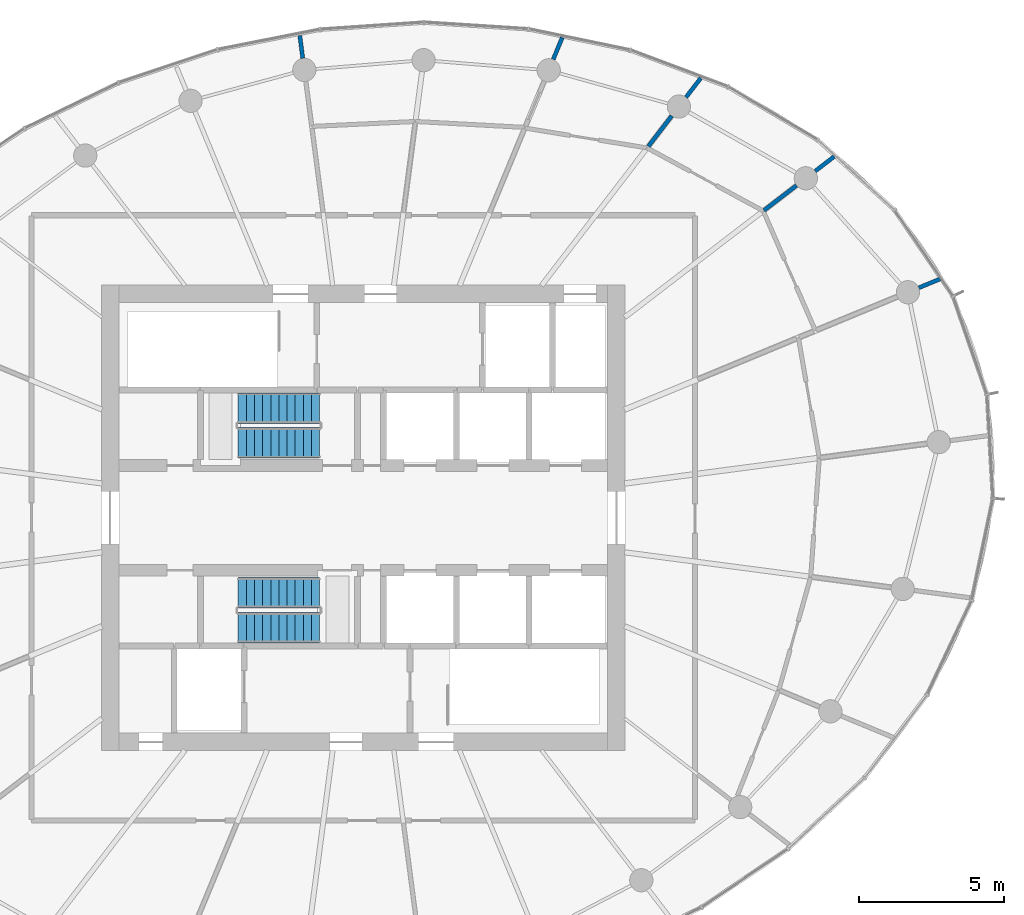
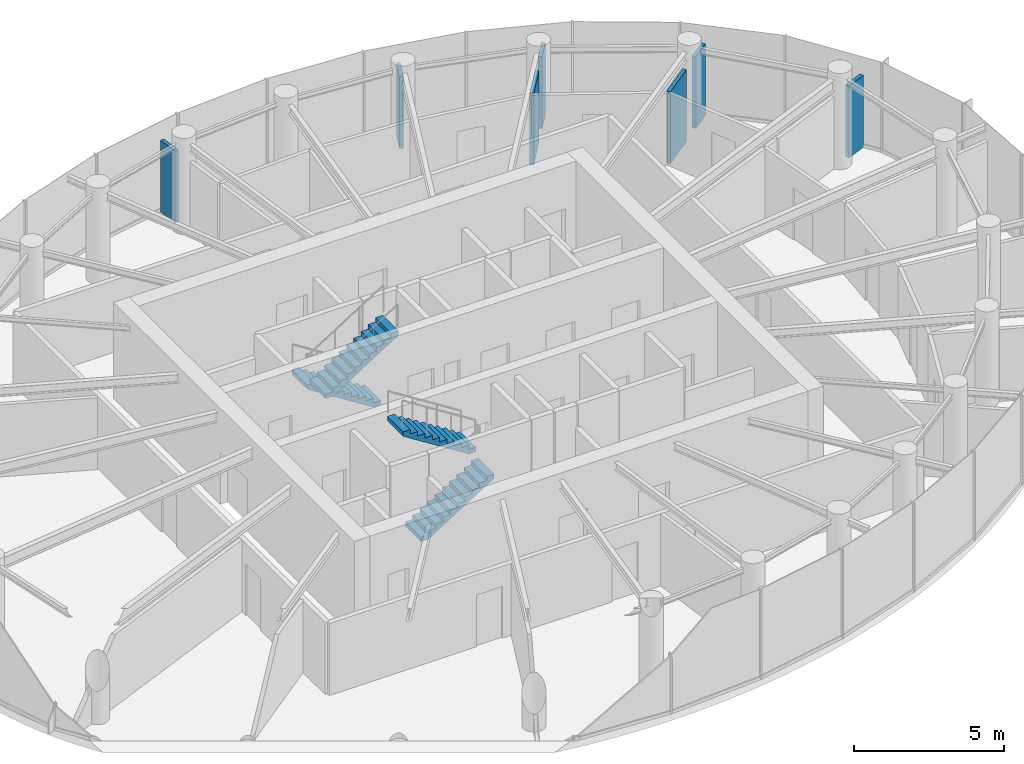
# One storey, part 11 of 13: 7 walls, 4 stair flights, 2 elements without a shape of their own.
"""IFC4 building model written with IfcOpenShell, lengths in metres."""

from ifc_helpers import new_model, si_unit, direction, frame, frame_2d, origin, place, context, subcontext, project, spatial, line, indexed_curve, rectangle, outline, extrude, material, layer, layer_set, type_object, element, aggregate, save


model = new_model("IFC4")

# Units and contexts
model_context = context("Model", 3, precision=1e-05, world=origin(), true_north=direction((0.0, 1.0)))
body_context = subcontext(model_context, "Body", "Model", "MODEL_VIEW")
ifc_project = project(units=[si_unit("LENGTHUNIT", "METRE"), si_unit("AREAUNIT", "SQUARE_METRE"), si_unit("VOLUMEUNIT", "CUBIC_METRE"), si_unit("PLANEANGLEUNIT", "RADIAN"), si_unit("MASSUNIT", "GRAM", prefix="KILO")], contexts=[model_context])

# Site, building, storey
site_placement = place(None, origin())
site = spatial("IfcSite", under=ifc_project, at=site_placement, CompositionType="ELEMENT")
building_placement = place(site_placement, origin())
building = spatial("IfcBuilding", under=site, at=building_placement, Name="Spindrift Exchange Tower", CompositionType="ELEMENT")
storey_placement = place(building_placement, frame((0.0, 0.0, 265.699951171875)))
storey = spatial("IfcBuildingStorey", under=building, at=storey_placement, Name="L65", CompositionType="ELEMENT", Elevation=265.699951171875)

# Walls
ifc_material_1 = material(Name="Fire-rated plasterboard partition", Category="gypsum")
ifc_layer = layer(ifc_material_1, 0.139892578125)
ifc_layer_set = layer_set([ifc_layer], Name="W-PART-140")
wall_type = type_object("IfcWallType", Name="W-PART-140", PredefinedType="PARTITIONING", material=ifc_layer_set)
wall_1_placement = place(storey_placement, frame((65.771484375, 58.567138671875, 0.0), z_axis=(0.0, 0.0, 1.0), x_axis=(0.793313221417, 0.608813709376, 0.0)))
element("IfcWall", 1, at=wall_1_placement, inside=storey, type_object=wall_type, Name="L65 Partition wall 67", PredefinedType="PARTITIONING", context=body_context, shape_type="SweptSolid", body=[
    extrude(rectangle(XDim=1.407958984375, YDim=0.139892578125, at=frame_2d((0.7041015625, 0.0))), origin(), (0.0, 0.0, 1.0), 2.920166015625),
])
wall_2_placement = place(storey_placement, frame((61.799072265625, 60.7705078125, 0.0), z_axis=(0.0, 0.0, 1.0), x_axis=(0.608805214603, 0.793319740503, 0.0)))
element("IfcWall", 2, at=wall_2_placement, inside=storey, type_object=wall_type, Name="L65 Partition wall 68", PredefinedType="PARTITIONING", context=body_context, shape_type="SweptSolid", body=[
    extrude(rectangle(XDim=1.316650390625, YDim=0.139892578125, at=frame_2d((0.658203125, 0.0))), origin(), (0.0, 0.0, 1.0), 2.920166015625),
])
wall_3_placement = place(storey_placement, frame((63.09326171875, 62.456787109375, 0.0), z_axis=(0.0, 0.0, 1.0), x_axis=(0.608728266511, 0.79337878567, 0.0)))
element("IfcWall", 3, at=wall_3_placement, inside=storey, type_object=wall_type, Name="L65 Partition wall 70", PredefinedType="PARTITIONING", context=body_context, shape_type="SweptSolid", body=[
    extrude(rectangle(XDim=0.8291015625, YDim=0.139892578125, at=frame_2d((0.41455078125, 0.0))), origin(), (0.0, 0.0, 1.0), 2.920166015625),
])
wall_4_placement = place(storey_placement, frame((67.530517578125, 59.9169921875, 0.0), z_axis=(0.0, 0.0, 1.0), x_axis=(0.793396032013, 0.608705788034, 0.0)))
element("IfcWall", 4, at=wall_4_placement, inside=storey, type_object=wall_type, Name="L65 Partition wall 72", PredefinedType="PARTITIONING", context=body_context, shape_type="SweptSolid", body=[
    extrude(rectangle(XDim=0.822265625, YDim=0.139892578125, at=frame_2d((0.4111328125, 0.0))), origin(), (0.0, 0.0, 1.0), 2.920166015625),
])
wall_5_placement = place(storey_placement, frame((58.526611328125, 63.7568359375, 0.0), z_axis=(0.0, 0.0, 1.0), x_axis=(0.382846417199, 0.923812005138, 0.0)))
element("IfcWall", 5, at=wall_5_placement, inside=storey, type_object=wall_type, Name="L65 Partition wall 73", PredefinedType="PARTITIONING", context=body_context, shape_type="SweptSolid", body=[
    extrude(rectangle(XDim=0.813720703125, YDim=0.139892578125, at=frame_2d((0.40673828125, 0.0))), origin(), (0.0, 0.0, 1.0), 2.920166015625),
])
wall_6_placement = place(storey_placement, frame((71.09375, 55.908935546875, 0.0), z_axis=(0.0, 0.0, 1.0), x_axis=(0.923945811289, 0.382523382031, 0.0)))
element("IfcWall", 6, at=wall_6_placement, inside=storey, type_object=wall_type, Name="L65 Partition wall 75", PredefinedType="PARTITIONING", context=body_context, shape_type="SweptSolid", body=[
    extrude(rectangle(XDim=0.7958984375, YDim=0.139892578125, at=frame_2d((0.39794921875, 0.0))), origin(), (0.0, 0.0, 1.0), 2.920166015625),
])
wall_7_placement = place(storey_placement, frame((49.92041015625, 63.797119140625, 0.0), z_axis=(0.0, 0.0, 1.0), x_axis=(-0.130575144093, 0.991438415508, 0.0)))
element("IfcWall", 7, at=wall_7_placement, inside=storey, type_object=wall_type, Name="L65 Partition wall 78", PredefinedType="PARTITIONING", context=body_context, shape_type="SweptSolid", body=[
    extrude(rectangle(XDim=0.785400390625, YDim=0.139892578125, at=frame_2d((0.392578125, 0.0))), origin(), (0.0, 0.0, 1.0), 2.920166015625),
])

# Stair, stair flights
ifc_material_2 = material(Name="Concrete 50 MPa", Category="concrete")
stair_type = type_object("IfcStairType", Name="ST-1050-R177", PredefinedType="HALF_TURN_STAIR", material=ifc_material_2)
stair_1_placement = place(storey_placement, origin())
stair_1 = element("IfcStair", 8, at=stair_1_placement, inside=storey, type_object=stair_type, Name="L65 Exit stair ST3", PredefinedType="HALF_TURN_STAIR")
stair_flight_type = type_object("IfcStairFlightType", Name="STF-1050-R177", PredefinedType="STRAIGHT", material=ifc_material_2)
stair_flight_1_placement = place(storey_placement, frame((50.5, 51.77490234375, 0.0), z_axis=(0.0, 0.0, 1.0), x_axis=(-1.0, 0.0, 0.0)))
stair_flight_1 = element("IfcStairFlight", 9, at=stair_flight_1_placement, type_object=stair_flight_type, Name="ST3 flight 1", NumberOfRisers=11, NumberOfTreads=10, PredefinedType="STRAIGHT", RiserHeight=0.177272727, TreadLength=0.28, context=body_context, shape_type="SweptSolid", body=[
    extrude(outline(indexed_curve([(0.0, 0.0), (0.0, 0.177734375), (0.2802734375, 0.177734375), (0.2802734375, 0.3544921875), (0.5595703125, 0.3544921875), (0.5595703125, 0.5322265625), (0.83984375, 0.5322265625), (0.83984375, 0.708984375), (1.1201171875, 0.708984375), (1.1201171875, 0.88671875), (1.400390625, 0.88671875), (1.400390625, 1.0634765625), (1.6796875, 1.0634765625), (1.6796875, 1.2412109375), (1.9599609375, 1.2412109375), (1.9599609375, 1.41796875), (2.240234375, 1.41796875), (2.240234375, 1.595703125), (2.51953125, 1.595703125), (2.51953125, 1.7724609375), (2.7998046875, 1.7724609375), (2.7998046875, 1.9501953125), (2.7998046875, 1.595703125), (0.2802734375, 0.0)], segments=[line(1, 2, 3, 4, 5, 6, 7, 8, 9, 10, 11, 12, 13, 14, 15, 16, 17, 18, 19, 20, 21, 22, 23, 24, 1)], self_intersect=False)), frame((0.0, 0.52490234375, 0.0), z_axis=(0.0, -1.0, 0.0), x_axis=(1.0, 0.0, 0.0)), (0.0, 0.0, 1.0), 1.050048828125),
])
stair_flight_2_placement = place(storey_placement, frame((47.699951171875, 50.574951171875, 1.949951171875), z_axis=(0.0, 0.0, 1.0), x_axis=(1.0, 0.0, 0.0)))
stair_flight_2 = element("IfcStairFlight", 10, at=stair_flight_2_placement, type_object=stair_flight_type, Name="ST3 flight 2", NumberOfRisers=11, NumberOfTreads=10, PredefinedType="STRAIGHT", RiserHeight=0.177272727, TreadLength=0.28, context=body_context, shape_type="SweptSolid", body=[
    extrude(outline(indexed_curve([(0.0, 0.0), (0.0, 0.177734375), (0.2802734375, 0.177734375), (0.2802734375, 0.3544921875), (0.5595703125, 0.3544921875), (0.5595703125, 0.5322265625), (0.83984375, 0.5322265625), (0.83984375, 0.708984375), (1.1201171875, 0.708984375), (1.1201171875, 0.88671875), (1.400390625, 0.88671875), (1.400390625, 1.0634765625), (1.6796875, 1.0634765625), (1.6796875, 1.2412109375), (1.9599609375, 1.2412109375), (1.9599609375, 1.41796875), (2.240234375, 1.41796875), (2.240234375, 1.595703125), (2.51953125, 1.595703125), (2.51953125, 1.7724609375), (2.7998046875, 1.7724609375), (2.7998046875, 1.9501953125), (2.7998046875, 1.595703125), (0.2802734375, 0.0)], segments=[line(1, 2, 3, 4, 5, 6, 7, 8, 9, 10, 11, 12, 13, 14, 15, 16, 17, 18, 19, 20, 21, 22, 23, 24, 1)], self_intersect=False)), frame((0.0, 0.52490234375, 0.0), z_axis=(0.0, -1.0, 0.0), x_axis=(1.0, 0.0, 0.0)), (0.0, 0.0, 1.0), 1.050048828125),
])
aggregate(stair_1, [stair_flight_1, stair_flight_2])

stair_2_placement = place(storey_placement, origin())
stair_2 = element("IfcStair", 11, at=stair_2_placement, inside=storey, type_object=stair_type, Name="L65 Exit stair ST4", PredefinedType="HALF_TURN_STAIR")
stair_flight_3_placement = place(storey_placement, frame((47.699951171875, 44.22509765625, 0.0), z_axis=(0.0, 0.0, 1.0), x_axis=(1.0, 0.0, 0.0)))
stair_flight_3 = element("IfcStairFlight", 12, at=stair_flight_3_placement, type_object=stair_flight_type, Name="ST4 flight 1", NumberOfRisers=11, NumberOfTreads=10, PredefinedType="STRAIGHT", RiserHeight=0.177272727, TreadLength=0.28, context=body_context, shape_type="SweptSolid", body=[
    extrude(outline(indexed_curve([(0.0, 0.0), (0.0, 0.177734375), (0.2802734375, 0.177734375), (0.2802734375, 0.3544921875), (0.5595703125, 0.3544921875), (0.5595703125, 0.5322265625), (0.83984375, 0.5322265625), (0.83984375, 0.708984375), (1.1201171875, 0.708984375), (1.1201171875, 0.88671875), (1.400390625, 0.88671875), (1.400390625, 1.0634765625), (1.6796875, 1.0634765625), (1.6796875, 1.2412109375), (1.9599609375, 1.2412109375), (1.9599609375, 1.41796875), (2.240234375, 1.41796875), (2.240234375, 1.595703125), (2.51953125, 1.595703125), (2.51953125, 1.7724609375), (2.7998046875, 1.7724609375), (2.7998046875, 1.9501953125), (2.7998046875, 1.595703125), (0.2802734375, 0.0)], segments=[line(1, 2, 3, 4, 5, 6, 7, 8, 9, 10, 11, 12, 13, 14, 15, 16, 17, 18, 19, 20, 21, 22, 23, 24, 1)], self_intersect=False)), frame((0.0, 0.52490234375, 0.0), z_axis=(0.0, -1.0, 0.0), x_axis=(1.0, 0.0, 0.0)), (0.0, 0.0, 1.0), 1.050048828125),
])
stair_flight_4_placement = place(storey_placement, frame((50.5, 45.425048828125, 1.949951171875), z_axis=(0.0, 0.0, 1.0), x_axis=(-1.0, 0.0, 0.0)))
stair_flight_4 = element("IfcStairFlight", 13, at=stair_flight_4_placement, type_object=stair_flight_type, Name="ST4 flight 2", NumberOfRisers=11, NumberOfTreads=10, PredefinedType="STRAIGHT", RiserHeight=0.177272727, TreadLength=0.28, context=body_context, shape_type="SweptSolid", body=[
    extrude(outline(indexed_curve([(0.0, 0.0), (0.0, 0.177734375), (0.2802734375, 0.177734375), (0.2802734375, 0.3544921875), (0.5595703125, 0.3544921875), (0.5595703125, 0.5322265625), (0.83984375, 0.5322265625), (0.83984375, 0.708984375), (1.1201171875, 0.708984375), (1.1201171875, 0.88671875), (1.400390625, 0.88671875), (1.400390625, 1.0634765625), (1.6796875, 1.0634765625), (1.6796875, 1.2412109375), (1.9599609375, 1.2412109375), (1.9599609375, 1.41796875), (2.240234375, 1.41796875), (2.240234375, 1.595703125), (2.51953125, 1.595703125), (2.51953125, 1.7724609375), (2.7998046875, 1.7724609375), (2.7998046875, 1.9501953125), (2.7998046875, 1.595703125), (0.2802734375, 0.0)], segments=[line(1, 2, 3, 4, 5, 6, 7, 8, 9, 10, 11, 12, 13, 14, 15, 16, 17, 18, 19, 20, 21, 22, 23, 24, 1)], self_intersect=False)), frame((0.0, 0.52490234375, 0.0), z_axis=(0.0, -1.0, 0.0), x_axis=(1.0, 0.0, 0.0)), (0.0, 0.0, 1.0), 1.050048828125),
])
aggregate(stair_2, [stair_flight_3, stair_flight_4])

save(model, "model.ifc")
